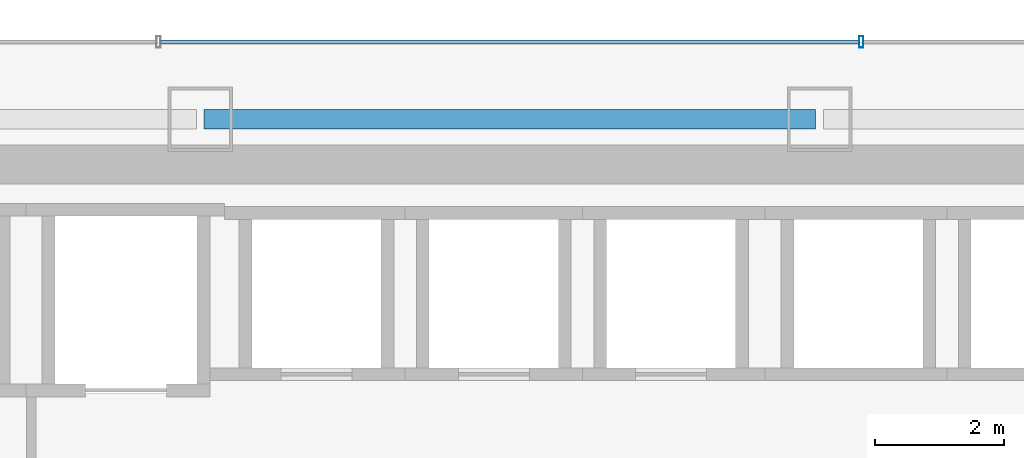
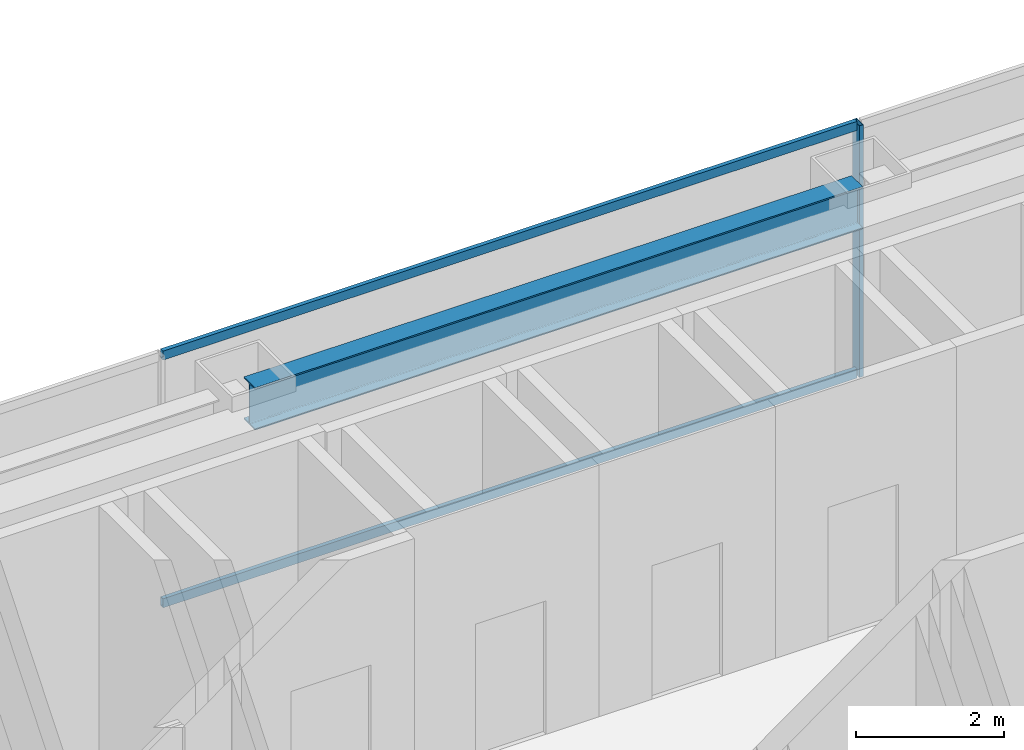
# One storey, part 21 of 35: 3 members, 1 beam, 1 element without a shape of its own.
"""IFC4 building model written with IfcOpenShell, lengths in metres."""

from ifc_helpers import new_model, si_unit, direction, frame, origin, origin_2d, place, context, subcontext, project, spatial, hollow_rectangle, i_section, extrude, material, material_profile, profile_set, type_object, element, aggregate, save


model = new_model("IFC4")

# Units and contexts
model_context = context("Model", 3, precision=1e-05, world=origin(), true_north=direction((0.0, 1.0)))
body_context = subcontext(model_context, "Body", "Model", "MODEL_VIEW")
ifc_project = project(units=[si_unit("LENGTHUNIT", "METRE"), si_unit("AREAUNIT", "SQUARE_METRE"), si_unit("VOLUMEUNIT", "CUBIC_METRE"), si_unit("PLANEANGLEUNIT", "RADIAN"), si_unit("MASSUNIT", "GRAM", prefix="KILO")], contexts=[model_context])

# Site, building, storey
site_placement = place(None, origin())
site = spatial("IfcSite", under=ifc_project, at=site_placement, CompositionType="ELEMENT")
building_placement = place(site_placement, origin())
building = spatial("IfcBuilding", under=site, at=building_placement, Name="Saevonmaru Cultural Tower", CompositionType="ELEMENT")
storey_placement = place(building_placement, frame((0.0, 0.0, 101.60009765625)))
storey = spatial("IfcBuildingStorey", under=building, at=storey_placement, Name="L21", CompositionType="ELEMENT", Elevation=101.60009765625)

# Beam
ifc_material_1 = material(Name="Steel SM355", Category="steel")
ifc_material_profile_1 = material_profile(ifc_material_1, i_section(OverallWidth=0.300048828125, OverallDepth=0.699951171875, WebThickness=0.012939453125, FlangeThickness=0.02392578125, FilletRadius=0.02587890625, at=origin_2d()), Name="H-700x300x13x24")
ifc_profile_set_1 = profile_set([ifc_material_profile_1], Name="Steel SM355")
beam_type = type_object("IfcBeamType", Name="BM-SP-H700", PredefinedType="SPANDREL", material=ifc_profile_set_1)
beam_placement = place(storey_placement, frame((25.260009765625, 54.800048828125, 3.7998046875), z_axis=(1.0, 0.0, 0.0), x_axis=(0.0, 1.0, 0.0)))
element("IfcBeam", 1, at=beam_placement, inside=storey, type_object=beam_type, Name="L21 North Spine Girder 3", PredefinedType="SPANDREL", context=body_context, shape_type="SweptSolid", body=[
    extrude(i_section(OverallWidth=0.300048828125, OverallDepth=0.699951171875, WebThickness=0.012939453125, FlangeThickness=0.02392578125, FilletRadius=0.02587890625, at=origin_2d()), origin(), (0.0, 0.0, 1.0), 9.47998046875),
])

# Curtain wall, members
ifc_material_2 = material(Name="Satin Bronze Anodised Aluminium", Category="aluminium")
curtain_wall_type = type_object("IfcCurtainWallType", Name="CW-TYP-A", PredefinedType="NOTDEFINED", material=ifc_material_2)
curtain_wall_placement = place(storey_placement, origin())
curtain_wall = element("IfcCurtainWall", 2, at=curtain_wall_placement, inside=storey, type_object=curtain_wall_type, Name="L21 North Spine Unitised Curtain Wall E10B", PredefinedType="NOTDEFINED")
ifc_material_profile_2 = material_profile(ifc_material_2, hollow_rectangle(XDim=0.06494140625, YDim=0.179931640625, WallThickness=0.00390625, at=origin_2d()), Name="ALU-MULL-180x65x4")
ifc_profile_set_2 = profile_set([ifc_material_profile_2], Name="Satin Bronze Anodised Aluminium")
member_type_1 = type_object("IfcMemberType", Name="ML-CW-180x65", PredefinedType="MULLION", material=ifc_profile_set_2)
member_1_placement = place(storey_placement, frame((35.44677734375, 56.0, 0.0), z_axis=(0.0, 0.0, 1.0), x_axis=(-1.0, 0.0, 0.0)))
member_1 = element("IfcMember", 3, at=member_1_placement, type_object=member_type_1, Name="CW-TW-L21-E10B mullion 2", PredefinedType="MULLION", context=body_context, shape_type="SweptSolid", body=[
    extrude(hollow_rectangle(XDim=0.06494140625, YDim=0.179931640625, WallThickness=0.00390625, at=origin_2d()), origin(), (0.0, 0.0, 1.0), 4.14990234375),
])
ifc_material_profile_3 = material_profile(ifc_material_2, hollow_rectangle(XDim=0.06494140625, YDim=0.14990234375, WallThickness=0.00390625, at=origin_2d()), Name="ALU-TRAN-150x65x4")
ifc_profile_set_3 = profile_set([ifc_material_profile_3], Name="Satin Bronze Anodised Aluminium")
member_type_2 = type_object("IfcMemberType", Name="TR-CW-150x65", PredefinedType="USERDEFINED", material=ifc_profile_set_3)
member_2_placement = place(storey_placement, frame((35.4140625, 56.0, 0.032470703125), z_axis=(-1.0, 0.0, 0.0), x_axis=(0.0, -1.0, 0.0)))
member_2 = element("IfcMember", 4, at=member_2_placement, type_object=member_type_2, Name="CW-TW-L21-E10B transom 2.1", ObjectType="TRANSOM", PredefinedType="USERDEFINED", context=body_context, shape_type="SweptSolid", body=[
    extrude(hollow_rectangle(XDim=0.06494140625, YDim=0.14990234375, WallThickness=0.00390625, at=origin_2d()), origin(), (0.0, 0.0, 1.0), 10.828125),
])
member_3_placement = place(storey_placement, frame((35.4140625, 56.0, 4.117431640625), z_axis=(-1.0, 0.0, 0.0), x_axis=(0.0, -1.0, 0.0)))
member_3 = element("IfcMember", 5, at=member_3_placement, type_object=member_type_2, Name="CW-TW-L21-E10B transom 2.2", ObjectType="TRANSOM", PredefinedType="USERDEFINED", context=body_context, shape_type="SweptSolid", body=[
    extrude(hollow_rectangle(XDim=0.06494140625, YDim=0.14990234375, WallThickness=0.00390625, at=origin_2d()), origin(), (0.0, 0.0, 1.0), 10.828125),
])
aggregate(curtain_wall, [member_1, member_2, member_3])

save(model, "model.ifc")
